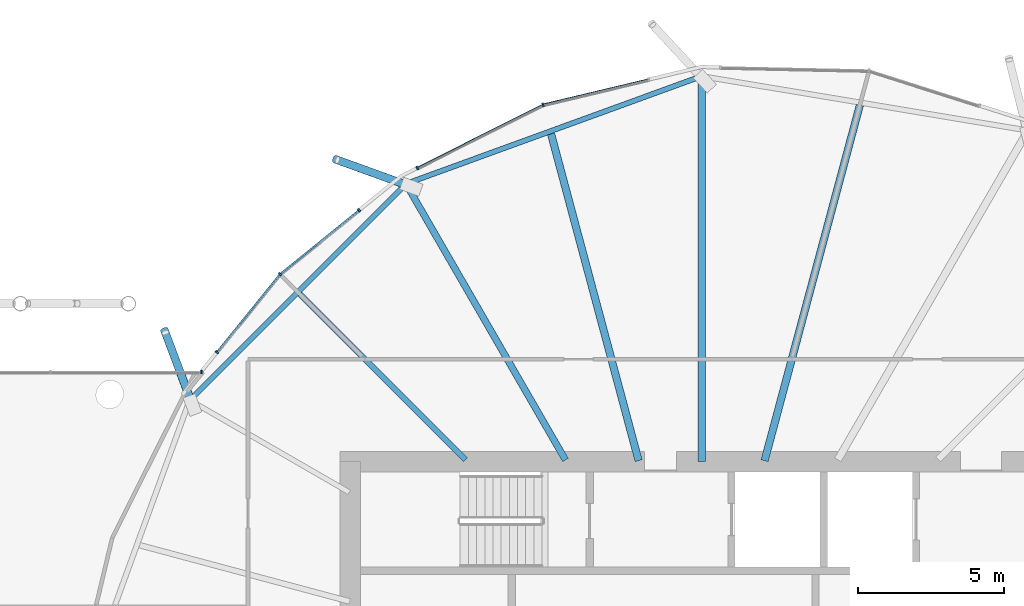
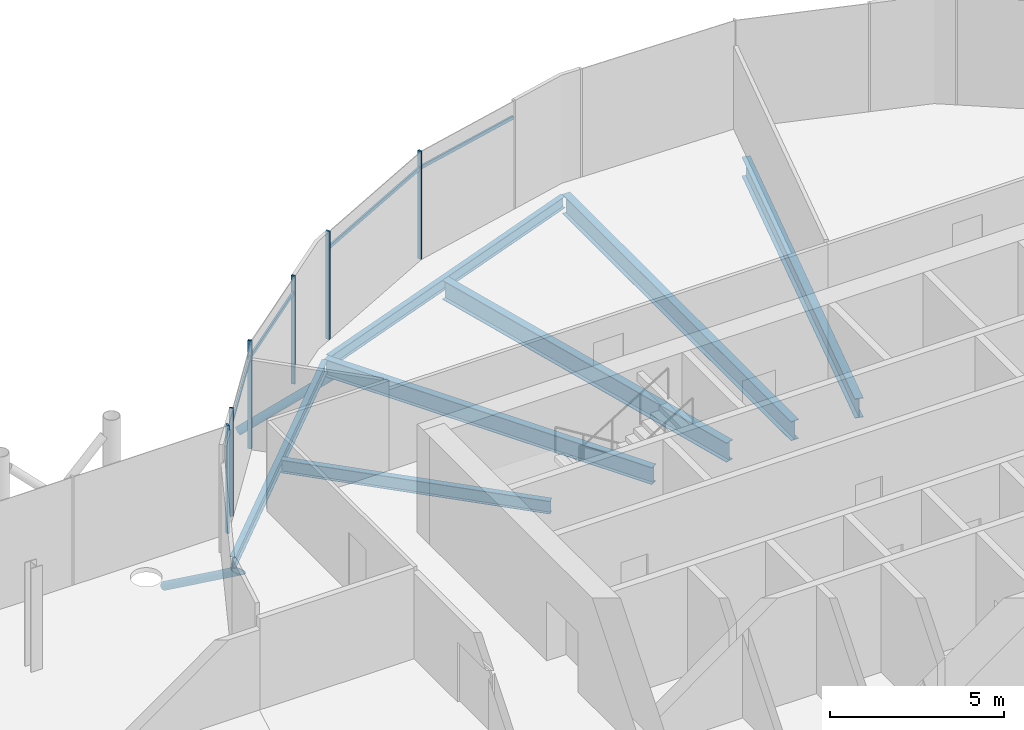
# One storey, part 17 of 39: 12 members, 7 beams, 2 elements without a shape of their own.
"""IFC4 building model written with IfcOpenShell, lengths in metres."""

from ifc_helpers import new_model, si_unit, direction, frame, origin, origin_2d, place, context, subcontext, project, spatial, rectangle, hollow_circle, i_section, extrude, clip, halfspace, material, material_profile, profile_set, type_object, element, aggregate, save


model = new_model("IFC4")

# Units and contexts
model_context = context("Model", 3, precision=1e-05, world=origin(), true_north=direction((0.0, 1.0)))
body_context = subcontext(model_context, "Body", "Model", "MODEL_VIEW")
ifc_project = project(units=[si_unit("LENGTHUNIT", "METRE"), si_unit("AREAUNIT", "SQUARE_METRE"), si_unit("VOLUMEUNIT", "CUBIC_METRE"), si_unit("PLANEANGLEUNIT", "RADIAN"), si_unit("MASSUNIT", "GRAM", prefix="KILO")], contexts=[model_context])

# Site, building, storey
site_placement = place(None, origin())
site = spatial("IfcSite", under=ifc_project, at=site_placement, CompositionType="ELEMENT")
building_placement = place(site_placement, origin())
building = spatial("IfcBuilding", under=site, at=building_placement, Name="Rimbun Link Towers", CompositionType="ELEMENT")
storey_placement = place(building_placement, frame((0.0, 0.0, 143.0)))
storey = spatial("IfcBuildingStorey", under=building, at=storey_placement, Name="L34", CompositionType="ELEMENT", Elevation=143.0)

# Curtain wall, members
ifc_material_1 = material(Name="Aluminium 6063-T6 and low-iron glass", Category="aluminium")
curtain_wall_type = type_object("IfcCurtainWallType", Name="CW4 link block wall", PredefinedType="NOTDEFINED", material=ifc_material_1)
curtain_wall_1_placement = place(storey_placement, origin())
curtain_wall_1 = element("IfcCurtainWall", 1, at=curtain_wall_1_placement, inside=storey, type_object=curtain_wall_type, Name="CW4 L34 T2", PredefinedType="NOTDEFINED")
ifc_material_2 = material(Name="Aluminium 6063-T6", Category="aluminium")
ifc_material_profile_1 = material_profile(ifc_material_2, rectangle(XDim=0.1201171875, YDim=0.06005859375, at=origin_2d()), Name="MULLION 60X120")
ifc_profile_set_1 = profile_set([ifc_material_profile_1], Name="Aluminium 6063-T6")
member_type_1 = type_object("IfcMemberType", Name="CW4 mullion 60X120", PredefinedType="MULLION", material=ifc_profile_set_1)
member_1_placement = place(storey_placement, frame((26.332763671875, 20.197021484375, 0.0), z_axis=(0.0, 0.0, 1.0), x_axis=(-0.342963066451, 0.939348888886, 0.0)))
member_1 = element("IfcMember", 2, at=member_1_placement, type_object=member_type_1, Name="CW4 mullion", PredefinedType="MULLION", context=body_context, shape_type="SweptSolid", body=[
    extrude(rectangle(XDim=0.1201171875, YDim=0.06005859375, at=origin_2d()), origin(), (0.0, 0.0, 1.0), 3.800048828125),
])
member_2_placement = place(storey_placement, frame((22.03173828125, 18.03759765625, 0.0), z_axis=(0.0, 0.0, 1.0), x_axis=(-0.448781608432, 0.893641464981, 0.0)))
member_2 = element("IfcMember", 3, at=member_2_placement, type_object=member_type_1, Name="CW4 mullion", PredefinedType="MULLION", context=body_context, shape_type="SweptSolid", body=[
    extrude(rectangle(XDim=0.1201171875, YDim=0.06005859375, at=origin_2d()), origin(), (0.0, 0.0, 1.0), 3.800048828125),
])
member_3_placement = place(storey_placement, frame((17.34228515625, 14.40771484375, 0.0), z_axis=(0.0, 0.0, 1.0), x_axis=(-0.707106781187, 0.707106781187, 0.0)))
member_3 = element("IfcMember", 4, at=member_3_placement, type_object=member_type_1, Name="CW4 mullion", PredefinedType="MULLION", context=body_context, shape_type="SweptSolid", body=[
    extrude(rectangle(XDim=0.1201171875, YDim=0.06005859375, at=origin_2d()), origin(), (0.0, 0.0, 1.0), 3.800048828125),
])
member_4_placement = place(storey_placement, frame((20.046875, 16.597412109375, 0.0), z_axis=(0.0, 0.0, 1.0), x_axis=(-0.629158779809, 0.777276803841, 0.0)))
member_4 = element("IfcMember", 5, at=member_4_placement, type_object=member_type_1, Name="CW4 mullion", PredefinedType="MULLION", context=body_context, shape_type="SweptSolid", body=[
    extrude(rectangle(XDim=0.1201171875, YDim=0.06005859375, at=origin_2d()), origin(), (0.0, 0.0, 1.0), 3.800048828125),
])
member_5_placement = place(storey_placement, frame((15.18408203125, 11.7421875, 0.0), z_axis=(0.0, 0.0, 1.0), x_axis=(-0.777276803841, 0.629158779809, 0.0)))
member_5 = element("IfcMember", 6, at=member_5_placement, type_object=member_type_1, Name="CW4 mullion", PredefinedType="MULLION", context=body_context, shape_type="SweptSolid", body=[
    extrude(rectangle(XDim=0.1201171875, YDim=0.06005859375, at=origin_2d()), origin(), (0.0, 0.0, 1.0), 3.800048828125),
])

# Curtain wall, member
curtain_wall_2_placement = place(storey_placement, origin())
curtain_wall_2 = element("IfcCurtainWall", 7, at=curtain_wall_2_placement, inside=storey, type_object=curtain_wall_type, Name="CW4 L34 LB", PredefinedType="NOTDEFINED")
member_6_placement = place(storey_placement, frame((14.66064453125, 11.06005859375, 0.0), z_axis=(0.0, 0.0, 1.0), x_axis=(0.0, 1.0, 0.0)))
member_6 = element("IfcMember", 8, at=member_6_placement, type_object=member_type_1, Name="CW4 mullion", PredefinedType="MULLION", context=body_context, shape_type="SweptSolid", body=[
    extrude(rectangle(XDim=0.1201171875, YDim=0.06005859375, at=origin_2d()), origin(), (0.0, 0.0, 1.0), 3.800048828125),
])
aggregate(curtain_wall_2, [member_6])

# Member
ifc_material_3 = material(Name="Aluminium 6063-T6", Category="aluminium")
ifc_material_profile_2 = material_profile(ifc_material_3, rectangle(XDim=0.06005859375, YDim=0.1201171875, at=origin_2d()), Name="TRANSOM 60X120")
ifc_profile_set_2 = profile_set([ifc_material_profile_2], Name="Aluminium 6063-T6")
member_type_2 = type_object("IfcMemberType", Name="CW4 transom 60X120", PredefinedType="USERDEFINED", material=ifc_profile_set_2)
member_7_placement = place(storey_placement, frame((26.368896484375, 20.2041015625, 3.199951171875), z_axis=(0.972585489627, 0.232545619967, 0.0), x_axis=(-0.232545619967, 0.972585489627, 0.0)))
member_7 = element("IfcMember", 9, at=member_7_placement, type_object=member_type_2, Name="CW4 transom", ObjectType="TRANSOM", PredefinedType="USERDEFINED", context=body_context, shape_type="SweptSolid", body=[
    extrude(rectangle(XDim=0.06005859375, YDim=0.1201171875, at=origin_2d()), origin(), (0.0, 0.0, 1.0), 3.638916015625),
])

member_8_placement = place(storey_placement, frame((22.0595703125, 18.049072265625, 3.199951171875), z_axis=(0.893633550107, 0.448797368668, 0.0), x_axis=(-0.448797368668, 0.893633550107, 0.0)))
member_8 = element("IfcMember", 10, at=member_8_placement, type_object=member_type_2, Name="CW4 transom", ObjectType="TRANSOM", PredefinedType="USERDEFINED", context=body_context, shape_type="SweptSolid", body=[
    extrude(rectangle(XDim=0.06005859375, YDim=0.1201171875, at=origin_2d()), origin(), (0.0, 0.0, 1.0), 4.745849609375),
])

member_9_placement = place(storey_placement, frame((17.37158203125, 14.42919921875, 3.199951171875), z_axis=(0.777248201938, 0.629194113596, 0.0), x_axis=(-0.629194113596, 0.777248201938, 0.0)))
member_9 = element("IfcMember", 11, at=member_9_placement, type_object=member_type_2, Name="CW4 transom", ObjectType="TRANSOM", PredefinedType="USERDEFINED", context=body_context, shape_type="SweptSolid", body=[
    extrude(rectangle(XDim=0.06005859375, YDim=0.1201171875, at=origin_2d()), origin(), (0.0, 0.0, 1.0), 3.413330078125),
])

member_10_placement = place(storey_placement, frame((15.20458984375, 11.76416015625, 3.199951171875), z_axis=(0.629181523638, 0.77725839353, 0.0), x_axis=(-0.77725839353, 0.629181523638, 0.0)))
member_10 = element("IfcMember", 12, at=member_10_placement, type_object=member_type_2, Name="CW4 transom", ObjectType="TRANSOM", PredefinedType="USERDEFINED", context=body_context, shape_type="SweptSolid", body=[
    extrude(rectangle(XDim=0.06005859375, YDim=0.1201171875, at=origin_2d()), origin(), (0.0, 0.0, 1.0), 3.363525390625),
])

aggregate(curtain_wall_1, [member_1, member_2, member_3, member_4, member_5, member_7, member_8, member_9, member_10])

# Members
ifc_material_4 = material(Name="Steel S355J2H", Category="steel")
ifc_material_profile_3 = material_profile(ifc_material_4, hollow_circle(Radius=0.136474609375, WallThickness=0.012451171875, at=origin_2d()), Name="CHS 273x12.5")
ifc_profile_set_3 = profile_set([ifc_material_profile_3], Name="Steel S355J2H")
member_type_3 = type_object("IfcMemberType", Name="Floor edge link CHS 273x12.5", PredefinedType="BRACE", material=ifc_profile_set_3)
member_11_placement = place(storey_placement, frame((21.674072265625, 17.4521484375, -0.900146484375), z_axis=(-0.810150596844, 0.293356746061, -0.507540963839), x_axis=(-0.340468128448, -0.940256057418, 0.0)))
element("IfcMember", 13, at=member_11_placement, inside=storey, type_object=member_type_3, Name="Floor edge link T2 L34 05", PredefinedType="BRACE", context=body_context, shape_type="Clipping", body=[
    clip(extrude(hollow_circle(Radius=0.136474609375, WallThickness=0.012451171875, at=origin_2d()), frame((0.0, 0.0, -0.483154296875)), (0.0, 0.0, 1.0), 3.517578125), halfspace(frame((0.0, 0.0, -0.2275390625), z_axis=(0.0, 0.861627628402, -0.507540963839)), False)),
])
member_12_placement = place(storey_placement, frame((14.2978515625, 10.075927734375, -0.650146484375), z_axis=(-0.29563141173, 0.790684712502, -0.536115429562), x_axis=(-0.936669658925, -0.350214148843, 0.0)))
element("IfcMember", 14, at=member_12_placement, inside=storey, type_object=member_type_3, Name="Floor edge link T2 L34 07", PredefinedType="BRACE", context=body_context, shape_type="Clipping", body=[
    clip(extrude(hollow_circle(Radius=0.136474609375, WallThickness=0.012451171875, at=origin_2d()), frame((0.0, 0.0, -0.448486328125)), (0.0, 0.0, 1.0), 3.5166015625), halfspace(frame((0.0, 0.0, -0.2109375), z_axis=(0.0, 0.844144683206, -0.536115429562)), False)),
])

# Beams
ifc_material_5 = material(Name="Steel S355J2", Category="steel")
ifc_material_profile_4 = material_profile(ifc_material_5, i_section(OverallWidth=0.177978515625, OverallDepth=0.406494140625, WebThickness=0.0078125, FlangeThickness=0.0126953125, at=origin_2d()), Name="UB 406x178x60")
ifc_profile_set_4 = profile_set([ifc_material_profile_4], Name="Steel S355J2")
beam_type_1 = type_object("IfcBeamType", Name="UB 406x178x60", PredefinedType="BEAM", material=ifc_profile_set_4)
beam_1_placement = place(storey_placement, frame((31.622314453125, 21.127685546875, -0.38330078125), z_axis=(-0.939626268784, -0.342202388963, 0.0), x_axis=(0.342202388963, -0.939626268784, 0.0)))
element("IfcBeam", 15, at=beam_1_placement, inside=storey, type_object=beam_type_1, Name="Edge beam T2 L34 03-05", PredefinedType="BEAM", context=body_context, shape_type="SweptSolid", body=[
    extrude(i_section(OverallWidth=0.177978515625, OverallDepth=0.406494140625, WebThickness=0.0078125, FlangeThickness=0.0126953125, at=origin_2d()), origin(), (0.0, 0.0, 1.0), 10.49755859375),
])
beam_2_placement = place(storey_placement, frame((21.56494140625, 17.411376953125, -0.38330078125), z_axis=(-0.707094870315, -0.707118691858, 0.0), x_axis=(0.707118691858, -0.707094870315, 0.0)))
element("IfcBeam", 16, at=beam_2_placement, inside=storey, type_object=beam_type_1, Name="Edge beam T2 L34 05-07", PredefinedType="BEAM", context=body_context, shape_type="SweptSolid", body=[
    extrude(i_section(OverallWidth=0.177978515625, OverallDepth=0.406494140625, WebThickness=0.0078125, FlangeThickness=0.0126953125, at=origin_2d()), origin(), (0.0, 0.0, 1.0), 10.248779296875),
])
ifc_material_6 = material(Name="Steel S355J2", Category="steel")
ifc_material_profile_5 = material_profile(ifc_material_6, i_section(OverallWidth=0.18994140625, OverallDepth=0.453369140625, WebThickness=0.008544921875, FlangeThickness=0.0126953125, at=origin_2d()), Name="UB 457x191x67")
ifc_profile_set_5 = profile_set([ifc_material_profile_5], Name="Steel S355J2")
beam_type_2 = type_object("IfcBeamType", Name="UB 457x191x67", PredefinedType="BEAM", material=ifc_profile_set_5)
beam_3_placement = place(storey_placement, frame((23.68212890625, 8.06787109375, -0.40673828125), z_axis=(-0.707106781187, 0.707106781187, 0.0), x_axis=(-0.707106781187, -0.707106781187, 0.0)))
element("IfcBeam", 17, at=beam_3_placement, inside=storey, type_object=beam_type_2, Name="Radial beam T2 L34 06", PredefinedType="BEAM", context=body_context, shape_type="SweptSolid", body=[
    extrude(i_section(OverallWidth=0.18994140625, OverallDepth=0.453369140625, WebThickness=0.008544921875, FlangeThickness=0.0126953125, at=origin_2d()), origin(), (0.0, 0.0, 1.0), 8.013916015625),
])
ifc_material_7 = material(Name="Steel S355J2", Category="steel")
ifc_material_profile_6 = material_profile(ifc_material_7, i_section(OverallWidth=0.2275390625, OverallDepth=0.6025390625, WebThickness=0.010498046875, FlangeThickness=0.014892578125, at=origin_2d()), Name="UB 610x229x101")
ifc_profile_set_6 = profile_set([ifc_material_profile_6], Name="Steel S355J2")
beam_type_3 = type_object("IfcBeamType", Name="UB 610x229x101", PredefinedType="BEAM", material=ifc_profile_set_6)
beam_4_placement = place(storey_placement, frame((27.097900390625, 8.057861328125, -0.481201171875), z_axis=(-0.500015928458, 0.866016207289, 0.0), x_axis=(-0.866016207289, -0.500015928458, 0.0)))
element("IfcBeam", 18, at=beam_4_placement, inside=storey, type_object=beam_type_3, Name="Radial beam T2 L34 05", PredefinedType="BEAM", context=body_context, shape_type="SweptSolid", body=[
    extrude(i_section(OverallWidth=0.2275390625, OverallDepth=0.6025390625, WebThickness=0.010498046875, FlangeThickness=0.014892578125, at=origin_2d()), origin(), (0.0, 0.0, 1.0), 10.897705078125),
])
ifc_material_8 = material(Name="Steel S355J2", Category="steel")
ifc_material_profile_7 = material_profile(ifc_material_8, i_section(OverallWidth=0.253662109375, OverallDepth=0.68359375, WebThickness=0.012451171875, FlangeThickness=0.01904296875, at=origin_2d()), Name="UB 686x254x140")
ifc_profile_set_7 = profile_set([ifc_material_profile_7], Name="Steel S355J2")
beam_type_4 = type_object("IfcBeamType", Name="UB 686x254x140", PredefinedType="BEAM", material=ifc_profile_set_7)
beam_5_placement = place(storey_placement, frame((33.902587890625, 8.03369140625, -0.521728515625), z_axis=(0.258819848058, 0.965925611137, 0.0), x_axis=(-0.965925611137, 0.258819848058, 0.0)))
element("IfcBeam", 19, at=beam_5_placement, inside=storey, type_object=beam_type_4, Name="Radial beam T2 L34 02", PredefinedType="BEAM", context=body_context, shape_type="SweptSolid", body=[
    extrude(i_section(OverallWidth=0.253662109375, OverallDepth=0.68359375, WebThickness=0.012451171875, FlangeThickness=0.01904296875, at=origin_2d()), origin(), (0.0, 0.0, 1.0), 12.57763671875),
])
beam_6_placement = place(storey_placement, frame((31.75, 8.0009765625, -0.521728515625), z_axis=(0.0, 1.0, 0.0), x_axis=(-1.0, 0.0, 0.0)))
element("IfcBeam", 20, at=beam_6_placement, inside=storey, type_object=beam_type_4, Name="Radial beam T2 L34 03", PredefinedType="BEAM", context=body_context, shape_type="SweptSolid", body=[
    extrude(i_section(OverallWidth=0.253662109375, OverallDepth=0.68359375, WebThickness=0.012451171875, FlangeThickness=0.01904296875, at=origin_2d()), origin(), (0.0, 0.0, 1.0), 13.17333984375),
])
beam_7_placement = place(storey_placement, frame((29.597412109375, 8.03369140625, -0.521728515625), z_axis=(-0.25881874375, 0.965925907036, 0.0), x_axis=(-0.965925907036, -0.25881874375, 0.0)))
element("IfcBeam", 21, at=beam_7_placement, inside=storey, type_object=beam_type_4, Name="Radial beam T2 L34 04", PredefinedType="BEAM", context=body_context, shape_type="SweptSolid", body=[
    extrude(i_section(OverallWidth=0.253662109375, OverallDepth=0.68359375, WebThickness=0.012451171875, FlangeThickness=0.01904296875, at=origin_2d()), origin(), (0.0, 0.0, 1.0), 11.564697265625),
])

save(model, "model.ifc")
